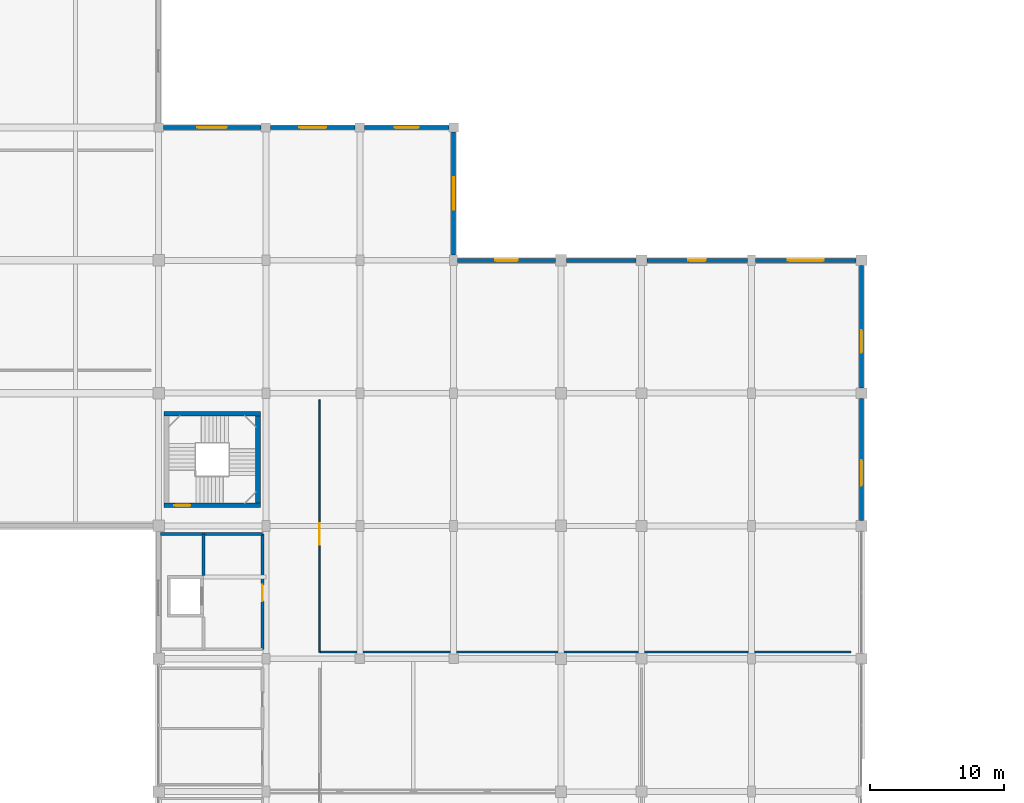
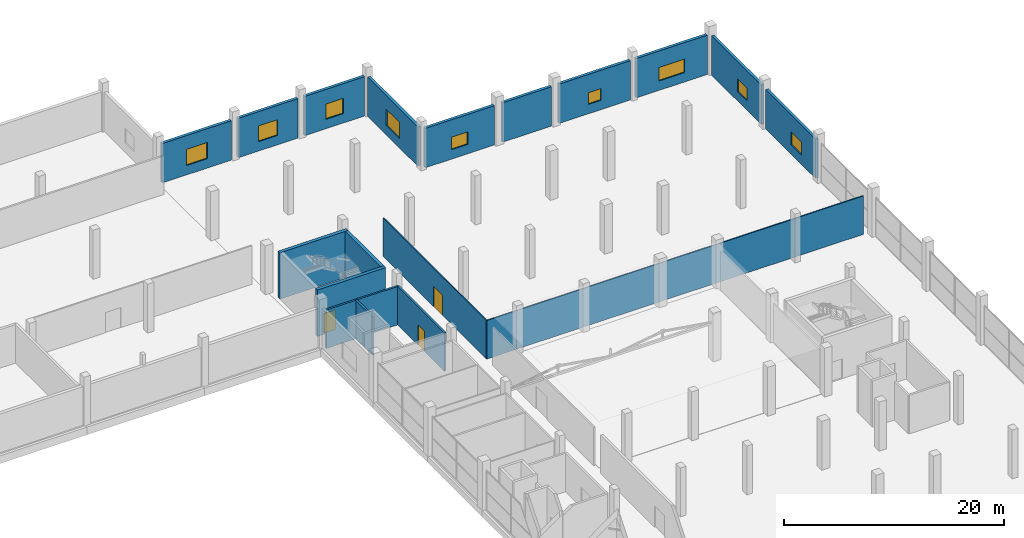
# One storey, part 46 of 72: 18 walls, 9 windows, 3 doors, 12 openings.
"""IFC4 building model written with IfcOpenShell, lengths in metres."""

from ifc_helpers import new_model, si_unit, direction, frame, frame_2d, origin, place, context, subcontext, project, spatial, rectangle, extrude, material, layer, layer_set, type_object, element, fill, save


model = new_model("IFC4")

# Units and contexts
model_context = context("Model", 3, precision=1e-05, world=origin(), true_north=direction((0.0, 1.0)))
body_context = subcontext(model_context, "Body", "Model", "MODEL_VIEW")
ifc_project = project(units=[si_unit("LENGTHUNIT", "METRE"), si_unit("AREAUNIT", "SQUARE_METRE"), si_unit("VOLUMEUNIT", "CUBIC_METRE"), si_unit("PLANEANGLEUNIT", "RADIAN"), si_unit("MASSUNIT", "GRAM", prefix="KILO")], contexts=[model_context])

# Site, building, storey
site_placement = place(None, origin())
site = spatial("IfcSite", under=ifc_project, at=site_placement, CompositionType="ELEMENT")
building_placement = place(site_placement, origin())
building = spatial("IfcBuilding", under=site, at=building_placement, Name="Sillaruma Civic Art Gallery", CompositionType="ELEMENT")
storey_placement = place(building_placement, frame((0.0, 0.0, 10.8798828125)))
storey = spatial("IfcBuildingStorey", under=building, at=storey_placement, Name="L02", CompositionType="ELEMENT", Elevation=10.8798828125)

# Wall, opening, door
ifc_material_1 = material(Name="Concrete H40 (40 MPa)", Category="concrete")
ifc_layer_1 = layer(ifc_material_1, 0.35009765625, Name="Concrete H40 (40 MPa)")
ifc_layer_set_1 = layer_set([ifc_layer_1], Name="Concrete H40 (40 MPa)")
wall_type_1 = type_object("IfcWallType", Name="WAL-CORE-350", PredefinedType="SHEAR", material=ifc_layer_set_1)
wall_1_placement = place(storey_placement, frame((62.409912109375, 80.735107421875, 0.0), z_axis=(0.0, 0.0, 1.0), x_axis=(1.0, 0.0, 0.0)))
wall_1 = element("IfcWall", 1, at=wall_1_placement, inside=storey, type_object=wall_type_1, Name="Stair Core Shear Wall W-CORE-350 (ST-02:L02:S)", PredefinedType="SHEAR", context=body_context, shape_type="SweptSolid", body=[
    extrude(rectangle(XDim=7.18017578125, YDim=0.35009765625, at=frame_2d((3.590087890625, 0.0))), origin(), (0.0, 0.0, 1.0), 5.16015625),
])
opening_1_placement = place(wall_1_placement, frame((0.77001953125, 0.0, 0.0)))
opening_1 = element("IfcOpeningElement", 2, at=opening_1_placement, cuts=wall_1, Name="Opening D-STAIR", PredefinedType="OPENING", context=body_context, shape_type="SweptSolid", body=[
    extrude(rectangle(XDim=1.199951171875, YDim=2.199951171875, at=frame_2d((0.60009765625, 1.10009765625))), frame((0.0, 0.18505859375, 0.0), z_axis=(0.0, -1.0, 0.0), x_axis=(1.0, 0.0, 0.0)), (0.0, 0.0, 1.0), 0.3701171875),
])
ifc_material_2 = material(Name="Galvanised Steel ASTM A653 Gr.50", Category="steel")
door_type_1 = type_object("IfcDoorType", Name="DOR-STAIR-120", OperationType="NOTDEFINED", PredefinedType="DOOR", material=ifc_material_2)
door_1_placement = place(opening_1_placement, origin())
door_1 = element("IfcDoor", 3, at=door_1_placement, inside=storey, type_object=door_type_1, Name="Protected Stair Fire Door (ST-02:L02)", OperationType="SINGLE_SWING_RIGHT", OverallHeight=2.199951171875, OverallWidth=1.199951171875, PredefinedType="DOOR", context=body_context, shape_type="SweptSolid", body=[
    extrude(rectangle(XDim=1.199951171875, YDim=2.199951171875, at=frame_2d((0.60009765625, 1.10009765625))), frame((0.0, 0.02490234375, 0.0), z_axis=(0.0, -1.0, 0.0), x_axis=(1.0, 0.0, 0.0)), (0.0, 0.0, 1.0), 0.050048828125),
])
fill(opening_1, door_1)

# Walls
wall_2_placement = place(storey_placement, frame((62.409912109375, 87.56494140625, 0.0), z_axis=(0.0, 0.0, 1.0), x_axis=(1.0, 0.0, 0.0)))
element("IfcWall", 4, at=wall_2_placement, inside=storey, type_object=wall_type_1, Name="Stair Core Shear Wall W-CORE-350 (ST-02:L02:N)", PredefinedType="SHEAR", context=body_context, shape_type="SweptSolid", body=[
    extrude(rectangle(XDim=7.18017578125, YDim=0.35009765625, at=frame_2d((3.590087890625, 0.0))), origin(), (0.0, 0.0, 1.0), 5.16015625),
])
wall_3_placement = place(storey_placement, frame((69.4150390625, 80.909912109375, 0.0), z_axis=(0.0, 0.0, 1.0), x_axis=(0.0, 1.0, 0.0)))
element("IfcWall", 5, at=wall_3_placement, inside=storey, type_object=wall_type_1, Name="Stair Core Shear Wall W-CORE-350 (ST-02:L02:E)", PredefinedType="SHEAR", context=body_context, shape_type="SweptSolid", body=[
    extrude(rectangle(XDim=6.47998046875, YDim=0.35009765625, at=frame_2d((3.239990234375, 0.0))), origin(), (0.0, 0.0, 1.0), 5.16015625),
])

# Wall, opening, window
ifc_material_3 = material(Name="Concrete H35 (35 MPa)", Category="concrete")
ifc_layer_2 = layer(ifc_material_3, 0.159912109375, Name="Concrete backup", Category="concrete")
ifc_material_4 = material(Name="Mineral Wool Thermal Insulation", Category="insulation")
ifc_layer_3 = layer(ifc_material_4, 0.090087890625, Name="Thermal insulation", Category="insulation")
ifc_material_5 = material(Name="Anodised Zinc-Aluminium Alloy", Category="aluminium")
ifc_layer_4 = layer(ifc_material_5, 0.030029296875, Name="Rainscreen finish", Category="aluminium")
ifc_layer_set_2 = layer_set([ifc_layer_2, ifc_layer_3, ifc_layer_4], Name="W-EXT-280")
wall_type_2 = type_object("IfcWallType", Name="WAL-EXT-280", PredefinedType="SOLIDWALL", material=ifc_layer_set_2)
wall_4_placement = place(storey_placement, frame((114.39990234375, 79.60009765625, 0.0), z_axis=(0.0, 0.0, 1.0), x_axis=(0.0, 1.0, 0.0)))
wall_4 = element("IfcWall", 6, at=wall_4_placement, inside=storey, type_object=wall_type_2, Name="Exterior Wall W-EXT-280 (EW-L02-SPE-7)", PredefinedType="SOLIDWALL", context=body_context, shape_type="SweptSolid", body=[
    extrude(rectangle(XDim=9.099853515625, YDim=0.280029296875, at=frame_2d((4.5498046875, 0.0))), origin(), (0.0, 0.0, 1.0), 4.380126953125),
])
opening_2_placement = place(wall_4_placement, frame((2.60009765625, 0.0, 1.050048828125)))
opening_2 = element("IfcOpeningElement", 7, at=opening_2_placement, cuts=wall_4, Name="Opening WN-14", PredefinedType="OPENING", context=body_context, shape_type="SweptSolid", body=[
    extrude(rectangle(XDim=1.89990234375, YDim=1.449951171875, at=frame_2d((0.949951171875, 0.72509765625))), frame((0.0, 0.14990234375, 0.0), z_axis=(0.0, -1.0, 0.0), x_axis=(1.0, 0.0, 0.0)), (0.0, 0.0, 1.0), 0.300048828125),
])
ifc_material_6 = material(Name="Thermally Broken Extruded Aluminium 6063-T6", Category="aluminium")
window_type_1 = type_object("IfcWindowType", Name="WIN-W14", PartitioningType="SINGLE_PANEL", PredefinedType="WINDOW", material=ifc_material_6)
window_1_placement = place(opening_2_placement, origin())
window_1 = element("IfcWindow", 8, at=window_1_placement, inside=storey, type_object=window_type_1, Name="Window WN-14 (EW-L02-SPE-7-1)", OverallHeight=1.449951171875, OverallWidth=1.89990234375, PartitioningType="SINGLE_PANEL", PredefinedType="WINDOW", context=body_context, shape_type="SweptSolid", body=[
    extrude(rectangle(XDim=1.89990234375, YDim=1.449951171875, at=frame_2d((0.949951171875, 0.72509765625))), frame((0.0, 0.030029296875, 0.0), z_axis=(0.0, -1.0, 0.0), x_axis=(1.0, 0.0, 0.0)), (0.0, 0.0, 1.0), 0.06005859375),
])
fill(opening_2, window_1)

wall_5_placement = place(storey_placement, frame((114.39990234375, 89.5, 0.0), z_axis=(0.0, 0.0, 1.0), x_axis=(0.0, 1.0, 0.0)))
wall_5 = element("IfcWall", 9, at=wall_5_placement, inside=storey, type_object=wall_type_2, Name="Exterior Wall W-EXT-280 (EW-L02-SPE-8)", PredefinedType="SOLIDWALL", context=body_context, shape_type="SweptSolid", body=[
    extrude(rectangle(XDim=9.10009765625, YDim=0.280029296875, at=frame_2d((4.550048828125, 0.0))), origin(), (0.0, 0.0, 1.0), 4.380126953125),
])
opening_3_placement = place(wall_5_placement, frame((2.60009765625, 0.0, 1.050048828125)))
opening_3 = element("IfcOpeningElement", 10, at=opening_3_placement, cuts=wall_5, Name="Opening WN-15", PredefinedType="OPENING", context=body_context, shape_type="SweptSolid", body=[
    extrude(rectangle(XDim=1.699951171875, YDim=1.39990234375, at=frame_2d((0.85009765625, 0.699951171875))), frame((0.0, 0.14990234375, 0.0), z_axis=(0.0, -1.0, 0.0), x_axis=(1.0, 0.0, 0.0)), (0.0, 0.0, 1.0), 0.300048828125),
])
window_type_2 = type_object("IfcWindowType", Name="WIN-W15", PartitioningType="SINGLE_PANEL", PredefinedType="WINDOW", material=ifc_material_6)
window_2_placement = place(opening_3_placement, origin())
window_2 = element("IfcWindow", 11, at=window_2_placement, inside=storey, type_object=window_type_2, Name="Window WN-15 (EW-L02-SPE-8-1)", OverallHeight=1.39990234375, OverallWidth=1.699951171875, PartitioningType="SINGLE_PANEL", PredefinedType="WINDOW", context=body_context, shape_type="SweptSolid", body=[
    extrude(rectangle(XDim=1.699951171875, YDim=1.39990234375, at=frame_2d((0.85009765625, 0.699951171875))), frame((0.0, 0.030029296875, 0.0), z_axis=(0.0, -1.0, 0.0), x_axis=(1.0, 0.0, 0.0)), (0.0, 0.0, 1.0), 0.06005859375),
])
fill(opening_3, window_2)

ifc_material_7 = material(Name="Precast Concrete H35 (35 MPa)", Category="concrete")
ifc_layer_5 = layer(ifc_material_7, 0.179931640625, Name="Precast backup", Category="concrete")
ifc_layer_6 = layer(ifc_material_4, 0.090087890625, Name="Thermal insulation", Category="insulation")
ifc_material_8 = material(Name="Comanche Granitic Ashlar Stone", Category="masonry")
ifc_layer_7 = layer(ifc_material_8, 0.030029296875, Name="Rainscreen cladding", Category="masonry")
ifc_layer_set_3 = layer_set([ifc_layer_5, ifc_layer_6, ifc_layer_7], Name="W-EXT-300")
wall_type_3 = type_object("IfcWallType", Name="WAL-EXT-300", PredefinedType="SOLIDWALL", material=ifc_layer_set_3)
wall_6_placement = place(storey_placement, frame((84.300048828125, 99.0, 0.0), z_axis=(0.0, 0.0, 1.0), x_axis=(1.0, 0.0, 0.0)))
wall_6 = element("IfcWall", 12, at=wall_6_placement, inside=storey, type_object=wall_type_3, Name="Exterior Wall W-EXT-300 (EW-L02-PNE-JK)", PredefinedType="SOLIDWALL", context=body_context, shape_type="SweptSolid", body=[
    extrude(rectangle(XDim=7.27490234375, YDim=0.300048828125, at=frame_2d((3.637451171875, 0.0))), origin(), (0.0, 0.0, 1.0), 4.380126953125),
])
opening_4_placement = place(wall_6_placement, frame((2.7880859375, 0.0, 1.050048828125)))
opening_4 = element("IfcOpeningElement", 13, at=opening_4_placement, cuts=wall_6, Name="Opening WN-15", PredefinedType="OPENING", context=body_context, shape_type="SweptSolid", body=[
    extrude(rectangle(XDim=1.699951171875, YDim=1.39990234375, at=frame_2d((0.85009765625, 0.699951171875))), frame((0.0, 0.159912109375, 0.0), z_axis=(0.0, -1.0, 0.0), x_axis=(1.0, 0.0, 0.0)), (0.0, 0.0, 1.0), 0.320068359375),
])
window_3_placement = place(opening_4_placement, origin())
window_3 = element("IfcWindow", 14, at=window_3_placement, inside=storey, type_object=window_type_2, Name="Window WN-15 (EW-L02-PNE-JK-1)", OverallHeight=1.39990234375, OverallWidth=1.699951171875, PartitioningType="SINGLE_PANEL", PredefinedType="WINDOW", context=body_context, shape_type="SweptSolid", body=[
    extrude(rectangle(XDim=1.699951171875, YDim=1.39990234375, at=frame_2d((0.85009765625, 0.699951171875))), frame((0.0, 0.030029296875, 0.0), z_axis=(0.0, -1.0, 0.0), x_axis=(1.0, 0.0, 0.0)), (0.0, 0.0, 1.0), 0.06005859375),
])
fill(opening_4, window_3)

# Wall
wall_7_placement = place(storey_placement, frame((92.425048828125, 99.0, 0.0), z_axis=(0.0, 0.0, 1.0), x_axis=(1.0, 0.0, 0.0)))
element("IfcWall", 15, at=wall_7_placement, inside=storey, type_object=wall_type_3, Name="Exterior Wall W-EXT-300 (EW-L02-PNE-KL)", PredefinedType="SOLIDWALL", context=body_context, shape_type="SweptSolid", body=[
    extrude(rectangle(XDim=5.175048828125, YDim=0.300048828125, at=frame_2d((2.58740234375, 0.0))), origin(), (0.0, 0.0, 1.0), 4.380126953125),
])

# Wall, opening, window
wall_8_placement = place(storey_placement, frame((98.39990234375, 99.0, 0.0), z_axis=(0.0, 0.0, 1.0), x_axis=(1.0, 0.0, 0.0)))
wall_8 = element("IfcWall", 16, at=wall_8_placement, inside=storey, type_object=wall_type_3, Name="Exterior Wall W-EXT-300 (EW-L02-PNE-LM)", PredefinedType="SOLIDWALL", context=body_context, shape_type="SweptSolid", body=[
    extrude(rectangle(XDim=7.5, YDim=0.300048828125, at=frame_2d((3.75, 0.0))), origin(), (0.0, 0.0, 1.0), 4.380126953125),
])
opening_5_placement = place(wall_8_placement, frame((3.10009765625, 0.0, 1.050048828125)))
opening_5 = element("IfcOpeningElement", 17, at=opening_5_placement, cuts=wall_8, Name="Opening WN-17", PredefinedType="OPENING", context=body_context, shape_type="SweptSolid", body=[
    extrude(rectangle(XDim=1.300048828125, YDim=1.300048828125, at=frame_2d((0.64990234375, 0.64990234375))), frame((0.0, 0.159912109375, 0.0), z_axis=(0.0, -1.0, 0.0), x_axis=(1.0, 0.0, 0.0)), (0.0, 0.0, 1.0), 0.320068359375),
])
window_type_3 = type_object("IfcWindowType", Name="WIN-W17", PartitioningType="SINGLE_PANEL", PredefinedType="WINDOW", material=ifc_material_6)
window_4_placement = place(opening_5_placement, origin())
window_4 = element("IfcWindow", 18, at=window_4_placement, inside=storey, type_object=window_type_3, Name="Window WN-17 (EW-L02-PNE-LM-1)", OverallHeight=1.300048828125, OverallWidth=1.300048828125, PartitioningType="SINGLE_PANEL", PredefinedType="WINDOW", context=body_context, shape_type="SweptSolid", body=[
    extrude(rectangle(XDim=1.300048828125, YDim=1.300048828125, at=frame_2d((0.64990234375, 0.64990234375))), frame((0.0, 0.030029296875, 0.0), z_axis=(0.0, -1.0, 0.0), x_axis=(1.0, 0.0, 0.0)), (0.0, 0.0, 1.0), 0.06005859375),
])
fill(opening_5, window_4)

wall_9_placement = place(storey_placement, frame((106.5, 99.0, 0.0), z_axis=(0.0, 0.0, 1.0), x_axis=(1.0, 0.0, 0.0)))
wall_9 = element("IfcWall", 19, at=wall_9_placement, inside=storey, type_object=wall_type_3, Name="Exterior Wall W-EXT-300 (EW-L02-PNE-MN)", PredefinedType="SOLIDWALL", context=body_context, shape_type="SweptSolid", body=[
    extrude(rectangle(XDim=7.5, YDim=0.300048828125, at=frame_2d((3.75, 0.0))), origin(), (0.0, 0.0, 1.0), 4.380126953125),
])
opening_6_placement = place(wall_9_placement, frame((2.39990234375, 0.0, 1.050048828125)))
opening_6 = element("IfcOpeningElement", 20, at=opening_6_placement, cuts=wall_9, Name="Opening WN-18", PredefinedType="OPENING", context=body_context, shape_type="SweptSolid", body=[
    extrude(rectangle(XDim=2.699951171875, YDim=1.5, at=frame_2d((1.35009765625, 0.75))), frame((0.0, 0.159912109375, 0.0), z_axis=(0.0, -1.0, 0.0), x_axis=(1.0, 0.0, 0.0)), (0.0, 0.0, 1.0), 0.320068359375),
])
window_type_4 = type_object("IfcWindowType", Name="WIN-W18", PartitioningType="SINGLE_PANEL", PredefinedType="WINDOW", material=ifc_material_6)
window_5_placement = place(opening_6_placement, origin())
window_5 = element("IfcWindow", 21, at=window_5_placement, inside=storey, type_object=window_type_4, Name="Window WN-18 (EW-L02-PNE-MN-1)", OverallHeight=1.5, OverallWidth=2.699951171875, PartitioningType="SINGLE_PANEL", PredefinedType="WINDOW", context=body_context, shape_type="SweptSolid", body=[
    extrude(rectangle(XDim=2.699951171875, YDim=1.5, at=frame_2d((1.35009765625, 0.75))), frame((0.0, 0.030029296875, 0.0), z_axis=(0.0, -1.0, 0.0), x_axis=(1.0, 0.0, 0.0)), (0.0, 0.0, 1.0), 0.06005859375),
])
fill(opening_6, window_5)

wall_10_placement = place(storey_placement, frame((84.0, 99.39990234375, 0.0), z_axis=(0.0, 0.0, 1.0), x_axis=(0.0, 1.0, 0.0)))
wall_10 = element("IfcWall", 22, at=wall_10_placement, inside=storey, type_object=wall_type_3, Name="Exterior Wall W-EXT-300 (EW-L02-PNE-W)", PredefinedType="SOLIDWALL", context=body_context, shape_type="SweptSolid", body=[
    extrude(rectangle(XDim=9.150146484375, YDim=0.300048828125, at=frame_2d((4.5751953125, 0.0))), origin(), (0.0, 0.0, 1.0), 4.380126953125),
])
opening_7_placement = place(wall_10_placement, frame((3.375, 0.0, 1.050048828125)))
opening_7 = element("IfcOpeningElement", 23, at=opening_7_placement, cuts=wall_10, Name="Opening WN-01", PredefinedType="OPENING", context=body_context, shape_type="SweptSolid", body=[
    extrude(rectangle(XDim=2.39990234375, YDim=1.800048828125, at=frame_2d((1.199951171875, 0.89990234375))), frame((0.0, 0.159912109375, 0.0), z_axis=(0.0, -1.0, 0.0), x_axis=(1.0, 0.0, 0.0)), (0.0, 0.0, 1.0), 0.320068359375),
])
window_type_5 = type_object("IfcWindowType", Name="WIN-W01", PartitioningType="SINGLE_PANEL", PredefinedType="WINDOW", material=ifc_material_6)
window_6_placement = place(opening_7_placement, origin())
window_6 = element("IfcWindow", 24, at=window_6_placement, inside=storey, type_object=window_type_5, Name="Window WN-01 (EW-L02-PNE-W-1)", OverallHeight=1.800048828125, OverallWidth=2.39990234375, PartitioningType="SINGLE_PANEL", PredefinedType="WINDOW", context=body_context, shape_type="SweptSolid", body=[
    extrude(rectangle(XDim=2.39990234375, YDim=1.800048828125, at=frame_2d((1.199951171875, 0.89990234375))), frame((0.0, 0.030029296875, 0.0), z_axis=(0.0, -1.0, 0.0), x_axis=(1.0, 0.0, 0.0)), (0.0, 0.0, 1.0), 0.06005859375),
])
fill(opening_7, window_6)

wall_11_placement = place(storey_placement, frame((62.35009765625, 108.89990234375, 0.0), z_axis=(0.0, 0.0, 1.0), x_axis=(1.0, 0.0, 0.0)))
wall_11 = element("IfcWall", 25, at=wall_11_placement, inside=storey, type_object=wall_type_3, Name="Exterior Wall W-EXT-300 (EW-L02-PNW-FG)", PredefinedType="SOLIDWALL", context=body_context, shape_type="SweptSolid", body=[
    extrude(rectangle(XDim=7.2998046875, YDim=0.300048828125, at=frame_2d((3.64990234375, 0.0))), origin(), (0.0, 0.0, 1.0), 4.380126953125),
])
opening_8_placement = place(wall_11_placement, frame((2.550048828125, 0.0, 1.050048828125)))
opening_8 = element("IfcOpeningElement", 26, at=opening_8_placement, cuts=wall_11, Name="Opening WN-02", PredefinedType="OPENING", context=body_context, shape_type="SweptSolid", body=[
    extrude(rectangle(XDim=2.199951171875, YDim=1.800048828125, at=frame_2d((1.10009765625, 0.89990234375))), frame((0.0, 0.159912109375, 0.0), z_axis=(0.0, -1.0, 0.0), x_axis=(1.0, 0.0, 0.0)), (0.0, 0.0, 1.0), 0.320068359375),
])
window_type_6 = type_object("IfcWindowType", Name="WIN-W02", PartitioningType="SINGLE_PANEL", PredefinedType="WINDOW", material=ifc_material_6)
window_7_placement = place(opening_8_placement, origin())
window_7 = element("IfcWindow", 27, at=window_7_placement, inside=storey, type_object=window_type_6, Name="Window WN-02 (EW-L02-PNW-FG-1)", OverallHeight=1.800048828125, OverallWidth=2.199951171875, PartitioningType="SINGLE_PANEL", PredefinedType="WINDOW", context=body_context, shape_type="SweptSolid", body=[
    extrude(rectangle(XDim=2.199951171875, YDim=1.800048828125, at=frame_2d((1.10009765625, 0.89990234375))), frame((0.0, 0.030029296875, 0.0), z_axis=(0.0, -1.0, 0.0), x_axis=(1.0, 0.0, 0.0)), (0.0, 0.0, 1.0), 0.06005859375),
])
fill(opening_8, window_7)

wall_12_placement = place(storey_placement, frame((70.35009765625, 108.89990234375, 0.0), z_axis=(0.0, 0.0, 1.0), x_axis=(1.0, 0.0, 0.0)))
wall_12 = element("IfcWall", 28, at=wall_12_placement, inside=storey, type_object=wall_type_3, Name="Exterior Wall W-EXT-300 (EW-L02-PNW-GH)", PredefinedType="SOLIDWALL", context=body_context, shape_type="SweptSolid", body=[
    extrude(rectangle(XDim=6.2998046875, YDim=0.300048828125, at=frame_2d((3.14990234375, 0.0))), origin(), (0.0, 0.0, 1.0), 4.380126953125),
])
opening_9_placement = place(wall_12_placement, frame((2.14990234375, 0.0, 1.050048828125)))
opening_9 = element("IfcOpeningElement", 29, at=opening_9_placement, cuts=wall_12, Name="Opening WN-03", PredefinedType="OPENING", context=body_context, shape_type="SweptSolid", body=[
    extrude(rectangle(XDim=2.0, YDim=1.75, at=frame_2d((1.0, 0.875))), frame((0.0, 0.159912109375, 0.0), z_axis=(0.0, -1.0, 0.0), x_axis=(1.0, 0.0, 0.0)), (0.0, 0.0, 1.0), 0.320068359375),
])
window_type_7 = type_object("IfcWindowType", Name="WIN-W03", PartitioningType="SINGLE_PANEL", PredefinedType="WINDOW", material=ifc_material_6)
window_8_placement = place(opening_9_placement, origin())
window_8 = element("IfcWindow", 30, at=window_8_placement, inside=storey, type_object=window_type_7, Name="Window WN-03 (EW-L02-PNW-GH-1)", OverallHeight=1.75, OverallWidth=2.0, PartitioningType="SINGLE_PANEL", PredefinedType="WINDOW", context=body_context, shape_type="SweptSolid", body=[
    extrude(rectangle(XDim=2.0, YDim=1.75, at=frame_2d((1.0, 0.875))), frame((0.0, 0.030029296875, 0.0), z_axis=(0.0, -1.0, 0.0), x_axis=(1.0, 0.0, 0.0)), (0.0, 0.0, 1.0), 0.06005859375),
])
fill(opening_9, window_8)

wall_13_placement = place(storey_placement, frame((77.35009765625, 108.89990234375, 0.0), z_axis=(0.0, 0.0, 1.0), x_axis=(1.0, 0.0, 0.0)))
wall_13 = element("IfcWall", 31, at=wall_13_placement, inside=storey, type_object=wall_type_3, Name="Exterior Wall W-EXT-300 (EW-L02-PNW-HJ)", PredefinedType="SOLIDWALL", context=body_context, shape_type="SweptSolid", body=[
    extrude(rectangle(XDim=6.2998046875, YDim=0.300048828125, at=frame_2d((3.14990234375, 0.0))), origin(), (0.0, 0.0, 1.0), 4.380126953125),
])
opening_10_placement = place(wall_13_placement, frame((2.25, 0.0, 1.050048828125)))
opening_10 = element("IfcOpeningElement", 32, at=opening_10_placement, cuts=wall_13, Name="Opening WN-04", PredefinedType="OPENING", context=body_context, shape_type="SweptSolid", body=[
    extrude(rectangle(XDim=1.800048828125, YDim=1.699951171875, at=frame_2d((0.89990234375, 0.85009765625))), frame((0.0, 0.159912109375, 0.0), z_axis=(0.0, -1.0, 0.0), x_axis=(1.0, 0.0, 0.0)), (0.0, 0.0, 1.0), 0.320068359375),
])
window_type_8 = type_object("IfcWindowType", Name="WIN-W04", PartitioningType="SINGLE_PANEL", PredefinedType="WINDOW", material=ifc_material_6)
window_9_placement = place(opening_10_placement, origin())
window_9 = element("IfcWindow", 33, at=window_9_placement, inside=storey, type_object=window_type_8, Name="Window WN-04 (EW-L02-PNW-HJ-1)", OverallHeight=1.699951171875, OverallWidth=1.800048828125, PartitioningType="SINGLE_PANEL", PredefinedType="WINDOW", context=body_context, shape_type="SweptSolid", body=[
    extrude(rectangle(XDim=1.800048828125, YDim=1.699951171875, at=frame_2d((0.89990234375, 0.85009765625))), frame((0.0, 0.030029296875, 0.0), z_axis=(0.0, -1.0, 0.0), x_axis=(1.0, 0.0, 0.0)), (0.0, 0.0, 1.0), 0.06005859375),
])
fill(opening_10, window_9)

# Walls
ifc_material_9 = material(Name="Concrete Masonry Unit Grade M15", Category="masonry")
ifc_layer_8 = layer(ifc_material_9, 0.199951171875, Name="Concrete Masonry Unit Grade M15")
ifc_layer_set_4 = layer_set([ifc_layer_8], Name="Concrete Masonry Unit Grade M15")
wall_type_4 = type_object("IfcWallType", Name="WAL-LOBBY-200", PredefinedType="SOLIDWALL", material=ifc_layer_set_4)
wall_14_placement = place(storey_placement, frame((62.14990234375, 78.60009765625, 0.0), z_axis=(0.0, 0.0, 1.0), x_axis=(1.0, 0.0, 0.0)))
element("IfcWall", 34, at=wall_14_placement, inside=storey, type_object=wall_type_4, Name="Interior Wall W-LOBBY-200 (L02-FFL)", PredefinedType="SOLIDWALL", context=body_context, shape_type="SweptSolid", body=[
    extrude(rectangle(XDim=7.60009765625, YDim=0.199951171875, at=frame_2d((3.800048828125, 0.0))), origin(), (0.0, 0.0, 1.0), 4.280029296875),
])
wall_15_placement = place(storey_placement, frame((65.35009765625, 75.5, 0.0), z_axis=(0.0, 0.0, 1.0), x_axis=(0.0, 1.0, 0.0)))
element("IfcWall", 35, at=wall_15_placement, inside=storey, type_object=wall_type_4, Name="Interior Wall W-LOBBY-200 (L02-FFL)", PredefinedType="SOLIDWALL", context=body_context, shape_type="SweptSolid", body=[
    extrude(rectangle(XDim=3.10009765625, YDim=0.199951171875, at=frame_2d((1.550048828125, 0.0))), origin(), (0.0, 0.0, 1.0), 4.280029296875),
])

# Wall, opening, door
wall_16_placement = place(storey_placement, frame((69.75, 70.0, 0.0), z_axis=(0.0, 0.0, 1.0), x_axis=(0.0, 1.0, 0.0)))
wall_16 = element("IfcWall", 36, at=wall_16_placement, inside=storey, type_object=wall_type_4, Name="Interior Wall W-LOBBY-200 (L02-FFL)", PredefinedType="SOLIDWALL", context=body_context, shape_type="SweptSolid", body=[
    extrude(rectangle(XDim=8.60009765625, YDim=0.199951171875, at=frame_2d((4.300048828125, 0.0))), origin(), (0.0, 0.0, 1.0), 4.280029296875),
])
opening_11_placement = place(wall_16_placement, frame((3.60009765625, 0.0, 0.0)))
opening_11 = element("IfcOpeningElement", 37, at=opening_11_placement, cuts=wall_16, Name="Opening D-FFL", PredefinedType="OPENING", context=body_context, shape_type="SweptSolid", body=[
    extrude(rectangle(XDim=1.199951171875, YDim=2.25, at=frame_2d((0.60009765625, 1.125))), frame((0.0, 0.10986328125, 0.0), z_axis=(0.0, -1.0, 0.0), x_axis=(1.0, 0.0, 0.0)), (0.0, 0.0, 1.0), 0.219970703125),
])
door_type_2 = type_object("IfcDoorType", Name="DOR-FFL-120", OperationType="NOTDEFINED", PredefinedType="DOOR", material=ifc_material_2)
door_2_placement = place(opening_11_placement, origin())
door_2 = element("IfcDoor", 38, at=door_2_placement, inside=storey, type_object=door_type_2, Name="Firefighting Lobby Door (D-FFL)", OperationType="SINGLE_SWING_RIGHT", OverallHeight=2.25, OverallWidth=1.199951171875, PredefinedType="DOOR", context=body_context, shape_type="SweptSolid", body=[
    extrude(rectangle(XDim=1.199951171875, YDim=2.25, at=frame_2d((0.60009765625, 1.125))), frame((0.0, 0.02490234375, 0.0), z_axis=(0.0, -1.0, 0.0), x_axis=(1.0, 0.0, 0.0)), (0.0, 0.0, 1.0), 0.050048828125),
])
fill(opening_11, door_2)

ifc_material_10 = material(Name="Gypsum Acoustic Board", Category="gypsum")
ifc_layer_9 = layer(ifc_material_10, 0.02490234375, Name="Finish board", Category="gypsum")
ifc_layer_10 = layer(ifc_material_4, 0.06005859375, Name="Acoustic core", Category="insulation")
ifc_material_11 = material(Name="Andean Oak Timber", Category="wood")
ifc_layer_11 = layer(ifc_material_11, 0.02490234375, Name="Gallery lining", Category="wood")
ifc_layer_set_5 = layer_set([ifc_layer_9, ifc_layer_10, ifc_layer_11], Name="W-PT-110")
wall_type_5 = type_object("IfcWallType", Name="WAL-PART-110", PredefinedType="PARTITIONING", material=ifc_layer_set_5)
wall_17_placement = place(storey_placement, frame((74.0, 69.800048828125, 0.0), z_axis=(0.0, 0.0, 1.0), x_axis=(0.0, 1.0, 0.0)))
wall_17 = element("IfcWall", 39, at=wall_17_placement, inside=storey, type_object=wall_type_5, Name="Interior Wall W-PT-110 (L02-CNS21)", PredefinedType="PARTITIONING", context=body_context, shape_type="SweptSolid", body=[
    extrude(rectangle(XDim=18.800048828125, YDim=0.110107421875, at=frame_2d((9.39990234375, 0.0))), origin(), (0.0, 0.0, 1.0), 4.280029296875),
])
opening_12_placement = place(wall_17_placement, frame((8.0, 0.0, 0.0)))
opening_12 = element("IfcOpeningElement", 40, at=opening_12_placement, cuts=wall_17, Name="Opening D-INT16", PredefinedType="OPENING", context=body_context, shape_type="SweptSolid", body=[
    extrude(rectangle(XDim=1.60009765625, YDim=2.25, at=frame_2d((0.800048828125, 1.125))), frame((0.0, 0.06494140625, 0.0), z_axis=(0.0, -1.0, 0.0), x_axis=(1.0, 0.0, 0.0)), (0.0, 0.0, 1.0), 0.130126953125),
])
door_type_3 = type_object("IfcDoorType", Name="DOR-INT-160", OperationType="NOTDEFINED", PredefinedType="DOOR", material=ifc_material_11)
door_3_placement = place(opening_12_placement, origin())
door_3 = element("IfcDoor", 41, at=door_3_placement, inside=storey, type_object=door_type_3, Name="Digital Media Conservation Studio Door (D-INT16)", OperationType="DOUBLE_DOOR_SINGLE_SWING", OverallHeight=2.25, OverallWidth=1.60009765625, PredefinedType="DOOR", context=body_context, shape_type="SweptSolid", body=[
    extrude(rectangle(XDim=1.60009765625, YDim=2.25, at=frame_2d((0.800048828125, 1.125))), frame((0.0, 0.02490234375, 0.0), z_axis=(0.0, -1.0, 0.0), x_axis=(1.0, 0.0, 0.0)), (0.0, 0.0, 1.0), 0.050048828125),
])
fill(opening_12, door_3)

# Wall
ifc_layer_12 = layer(ifc_material_10, 0.02490234375, Name="Finish board", Category="gypsum")
ifc_layer_13 = layer(ifc_material_4, 0.070068359375, Name="Acoustic core", Category="insulation")
ifc_layer_14 = layer(ifc_material_11, 0.02490234375, Name="Gallery lining", Category="wood")
ifc_layer_set_6 = layer_set([ifc_layer_12, ifc_layer_13, ifc_layer_14], Name="W-PT-120")
wall_type_6 = type_object("IfcWallType", Name="WAL-PART-120", PredefinedType="PARTITIONING", material=ifc_layer_set_6)
wall_18_placement = place(storey_placement, frame((74.0, 69.800048828125, 0.0), z_axis=(0.0, 0.0, 1.0), x_axis=(1.0, 0.0, 0.0)))
element("IfcWall", 42, at=wall_18_placement, inside=storey, type_object=wall_type_6, Name="Interior Wall W-PT-120 (L02-CNS21)", PredefinedType="PARTITIONING", context=body_context, shape_type="SweptSolid", body=[
    extrude(rectangle(XDim=39.60009765625, YDim=0.1201171875, at=frame_2d((19.800048828125, 0.0))), origin(), (0.0, 0.0, 1.0), 4.280029296875),
])

save(model, "model.ifc")
